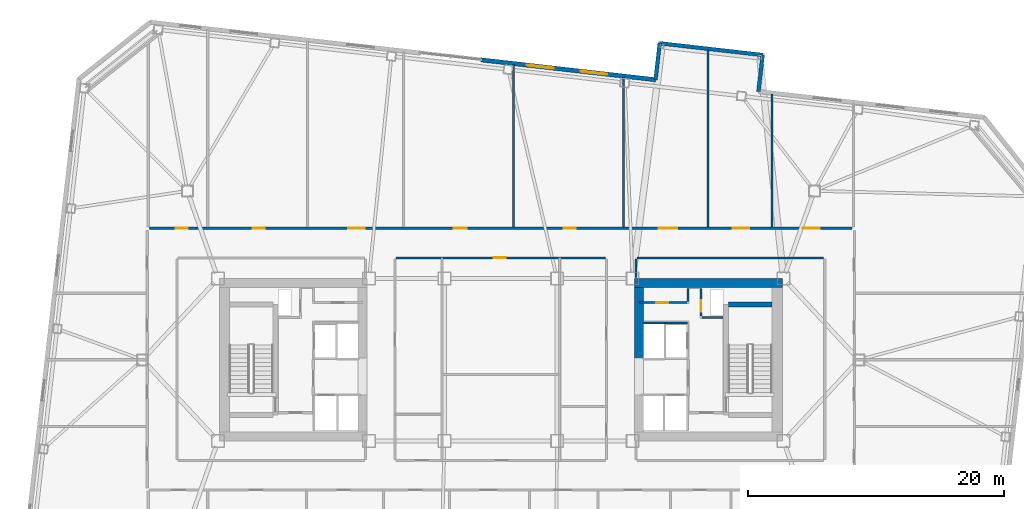
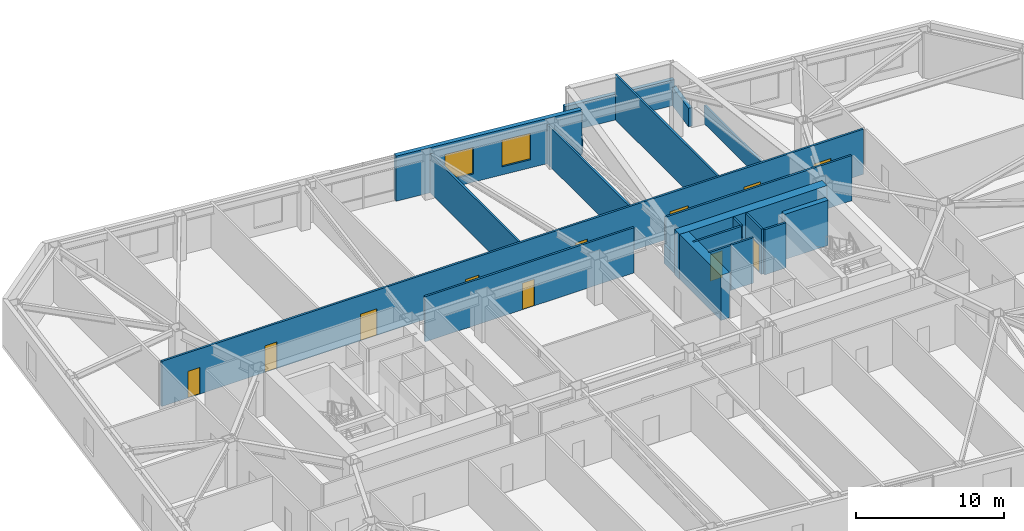
# One storey, part 15 of 22: 21 walls, 11 doors, 2 windows, 13 openings.
"""IFC4 building model written with IfcOpenShell, lengths in metres."""

from ifc_helpers import new_model, si_unit, direction, frame, frame_2d, origin, place, context, subcontext, project, spatial, rectangle, extrude, material, layer, layer_set, type_object, element, fill, save


model = new_model("IFC4")

# Units and contexts
model_context = context("Model", 3, precision=1e-05, world=origin(), true_north=direction((0.0, 1.0)))
body_context = subcontext(model_context, "Body", "Model", "MODEL_VIEW")
ifc_project = project(units=[si_unit("LENGTHUNIT", "METRE"), si_unit("AREAUNIT", "SQUARE_METRE"), si_unit("VOLUMEUNIT", "CUBIC_METRE"), si_unit("PLANEANGLEUNIT", "RADIAN"), si_unit("MASSUNIT", "GRAM", prefix="KILO")], contexts=[model_context])

# Site, building, storey
site_placement = place(None, origin())
site = spatial("IfcSite", under=ifc_project, at=site_placement, CompositionType="ELEMENT")
building_placement = place(site_placement, origin())
building = spatial("IfcBuilding", under=site, at=building_placement, Name="Tavrogorsk Clinical Tower", CompositionType="ELEMENT")
storey_placement = place(building_placement, frame((0.0, 0.0, 117.39990234375)))
storey = spatial("IfcBuildingStorey", under=building, at=storey_placement, Name="L26", CompositionType="ELEMENT", Elevation=117.39990234375)

# Wall, opening, door
ifc_material_1 = material(Name="Lightweight concrete blockwork B15", Category="masonry")
ifc_layer_1 = layer(ifc_material_1, 0.159912109375)
ifc_layer_set_1 = layer_set([ifc_layer_1], Name="Lightweight concrete blockwork B15")
wall_type_1 = type_object("IfcWallType", Name="PartitionWall_160", PredefinedType="PARTITIONING", material=ifc_layer_set_1)
wall_1_placement = place(storey_placement, frame((10.800048828125, 4.4599609375, 0.0), z_axis=(0.0, 0.0, 1.0), x_axis=(1.0, 0.0, 0.0)))
wall_1 = element("IfcWall", 1, at=wall_1_placement, inside=storey, type_object=wall_type_1, Name="L26 Core East Pneumatic Dispatch South Wall", PredefinedType="PARTITIONING", context=body_context, shape_type="SweptSolid", body=[
    extrude(rectangle(XDim=3.7548828125, YDim=0.159912109375, at=frame_2d((1.87744140625, 0.0))), origin(), (0.0, 0.0, 1.0), 3.739990234375),
])
opening_1_placement = place(wall_1_placement, frame((1.35009765625, 0.0, 0.0)))
opening_1 = element("IfcOpeningElement", 2, at=opening_1_placement, cuts=wall_1, Name="Opening ID-02", PredefinedType="OPENING", context=body_context, shape_type="SweptSolid", body=[
    extrude(rectangle(XDim=0.949951171875, YDim=2.199951171875, at=frame_2d((0.47509765625, 1.10009765625))), frame((0.0, 0.08984375, 0.0), z_axis=(0.0, -1.0, 0.0), x_axis=(1.0, 0.0, 0.0)), (0.0, 0.0, 1.0), 0.179931640625),
])
ifc_material_2 = material(Name="Laminated timber leaf on aluminium frame", Category="wood")
door_type_1 = type_object("IfcDoorType", Name="InteriorDoor_ID02_950", OperationType="NOTDEFINED", PredefinedType="DOOR", material=ifc_material_2)
door_1_placement = place(opening_1_placement, origin())
door_1 = element("IfcDoor", 3, at=door_1_placement, inside=storey, type_object=door_type_1, Name="L26 Core East Pneumatic Dispatch Door", OperationType="SINGLE_SWING_LEFT", OverallHeight=2.199951171875, OverallWidth=0.949951171875, PredefinedType="DOOR", context=body_context, shape_type="SweptSolid", body=[
    extrude(rectangle(XDim=0.949951171875, YDim=2.199951171875, at=frame_2d((0.47509765625, 1.10009765625))), frame((0.0, 0.02490234375, 0.0), z_axis=(0.0, -1.0, 0.0), x_axis=(1.0, 0.0, 0.0)), (0.0, 0.0, 1.0), 0.050048828125),
])
fill(opening_1, door_1)

# Wall
wall_2_placement = place(storey_placement, frame((14.639892578125, 4.544921875, 0.0), z_axis=(0.0, 0.0, 1.0), x_axis=(0.0, 1.0, 0.0)))
element("IfcWall", 4, at=wall_2_placement, inside=storey, type_object=wall_type_1, Name="L26 Core East Pneumatic Dispatch East Wall", PredefinedType="PARTITIONING", context=body_context, shape_type="SweptSolid", body=[
    extrude(rectangle(XDim=1.01513671875, YDim=0.159912109375, at=frame_2d((0.507568359375, 0.0))), origin(), (0.0, 0.0, 1.0), 3.739990234375),
])

# Wall, openings, doors
wall_3_placement = place(storey_placement, frame((-27.465087890625, 10.280029296875, 0.0), z_axis=(0.0, 0.0, 1.0), x_axis=(1.0, 0.0, 0.0)))
wall_3 = element("IfcWall", 5, at=wall_3_placement, inside=storey, type_object=wall_type_1, Name="L26 Corridor Partition 02", PredefinedType="PARTITIONING", context=body_context, shape_type="SweptSolid", body=[
    extrude(rectangle(XDim=54.93017578125, YDim=0.159912109375, at=frame_2d((27.465087890625, 0.0))), origin(), (0.0, 0.0, 1.0), 3.739990234375),
])
opening_2_placement = place(wall_3_placement, frame((2.044189453125, 0.0, 0.0)))
opening_2 = element("IfcOpeningElement", 6, at=opening_2_placement, cuts=wall_3, Name="Opening ID-02", PredefinedType="OPENING", context=body_context, shape_type="SweptSolid", body=[
    extrude(rectangle(XDim=0.949951171875, YDim=2.199951171875, at=frame_2d((0.47509765625, 1.10009765625))), frame((0.0, 0.08984375, 0.0), z_axis=(0.0, -1.0, 0.0), x_axis=(1.0, 0.0, 0.0)), (0.0, 0.0, 1.0), 0.179931640625),
])
opening_3_placement = place(wall_3_placement, frame((8.074951171875, 0.0, 0.0)))
opening_3 = element("IfcOpeningElement", 7, at=opening_3_placement, cuts=wall_3, Name="Opening ID-02", PredefinedType="OPENING", context=body_context, shape_type="SweptSolid", body=[
    extrude(rectangle(XDim=0.949951171875, YDim=2.199951171875, at=frame_2d((0.47509765625, 1.10009765625))), frame((0.0, 0.08984375, 0.0), z_axis=(0.0, -1.0, 0.0), x_axis=(1.0, 0.0, 0.0)), (0.0, 0.0, 1.0), 0.179931640625),
])
opening_4_placement = place(wall_3_placement, frame((15.550048828125, 0.0, 0.0)))
opening_4 = element("IfcOpeningElement", 8, at=opening_4_placement, cuts=wall_3, Name="Opening ID-01", PredefinedType="OPENING", context=body_context, shape_type="SweptSolid", body=[
    extrude(rectangle(XDim=1.300048828125, YDim=2.199951171875, at=frame_2d((0.64990234375, 1.10009765625))), frame((0.0, 0.08984375, 0.0), z_axis=(0.0, -1.0, 0.0), x_axis=(1.0, 0.0, 0.0)), (0.0, 0.0, 1.0), 0.179931640625),
])
opening_5_placement = place(wall_3_placement, frame((23.77490234375, 0.0, 0.0)))
opening_5 = element("IfcOpeningElement", 9, at=opening_5_placement, cuts=wall_3, Name="Opening ID-04", PredefinedType="OPENING", context=body_context, shape_type="SweptSolid", body=[
    extrude(rectangle(XDim=1.050048828125, YDim=2.199951171875, at=frame_2d((0.52490234375, 1.10009765625))), frame((0.0, 0.08984375, 0.0), z_axis=(0.0, -1.0, 0.0), x_axis=(1.0, 0.0, 0.0)), (0.0, 0.0, 1.0), 0.179931640625),
])
opening_6_placement = place(wall_3_placement, frame((32.375, 0.0, 0.0)))
opening_6 = element("IfcOpeningElement", 10, at=opening_6_placement, cuts=wall_3, Name="Opening ID-02", PredefinedType="OPENING", context=body_context, shape_type="SweptSolid", body=[
    extrude(rectangle(XDim=0.949951171875, YDim=2.199951171875, at=frame_2d((0.47509765625, 1.10009765625))), frame((0.0, 0.08984375, 0.0), z_axis=(0.0, -1.0, 0.0), x_axis=(1.0, 0.0, 0.0)), (0.0, 0.0, 1.0), 0.179931640625),
])
opening_7_placement = place(wall_3_placement, frame((39.794921875, 0.0, 0.0)))
opening_7 = element("IfcOpeningElement", 11, at=opening_7_placement, cuts=wall_3, Name="Opening ID-05", PredefinedType="OPENING", context=body_context, shape_type="SweptSolid", body=[
    extrude(rectangle(XDim=1.449951171875, YDim=2.199951171875, at=frame_2d((0.72509765625, 1.10009765625))), frame((0.0, 0.08984375, 0.0), z_axis=(0.0, -1.0, 0.0), x_axis=(1.0, 0.0, 0.0)), (0.0, 0.0, 1.0), 0.179931640625),
])
opening_8_placement = place(wall_3_placement, frame((45.58837890625, 0.0, 0.0)))
opening_8 = element("IfcOpeningElement", 12, at=opening_8_placement, cuts=wall_3, Name="Opening ID-01", PredefinedType="OPENING", context=body_context, shape_type="SweptSolid", body=[
    extrude(rectangle(XDim=1.300048828125, YDim=2.199951171875, at=frame_2d((0.64990234375, 1.10009765625))), frame((0.0, 0.08984375, 0.0), z_axis=(0.0, -1.0, 0.0), x_axis=(1.0, 0.0, 0.0)), (0.0, 0.0, 1.0), 0.179931640625),
])
opening_9_placement = place(wall_3_placement, frame((51.074462890625, 0.0, 0.0)))
opening_9 = element("IfcOpeningElement", 13, at=opening_9_placement, cuts=wall_3, Name="Opening ID-01", PredefinedType="OPENING", context=body_context, shape_type="SweptSolid", body=[
    extrude(rectangle(XDim=1.300048828125, YDim=2.199951171875, at=frame_2d((0.64990234375, 1.10009765625))), frame((0.0, 0.08984375, 0.0), z_axis=(0.0, -1.0, 0.0), x_axis=(1.0, 0.0, 0.0)), (0.0, 0.0, 1.0), 0.179931640625),
])
ifc_material_3 = material(Name="Antibacterial HPL consultation door on aluminium frame", Category="aluminium")
door_type_2 = type_object("IfcDoorType", Name="ConsultDoor_ID04_1050", OperationType="NOTDEFINED", PredefinedType="DOOR", material=ifc_material_3)
door_2_placement = place(opening_5_placement, origin())
door_2 = element("IfcDoor", 14, at=door_2_placement, inside=storey, type_object=door_type_2, Name="L26 North Physician Consultation Office 04 Door", OperationType="SINGLE_SWING_RIGHT", OverallHeight=2.199951171875, OverallWidth=1.050048828125, PredefinedType="DOOR", context=body_context, shape_type="SweptSolid", body=[
    extrude(rectangle(XDim=1.050048828125, YDim=2.199951171875, at=frame_2d((0.52490234375, 1.10009765625))), frame((0.0, 0.02490234375, 0.0), z_axis=(0.0, -1.0, 0.0), x_axis=(1.0, 0.0, 0.0)), (0.0, 0.0, 1.0), 0.050048828125),
])
fill(opening_5, door_2)
ifc_material_4 = material(Name="Antibacterial HPL bariatric ward double door")
door_type_3 = type_object("IfcDoorType", Name="DoubleWardDoor_ID05_1450", OperationType="DOUBLE_SWING_LEFT", PredefinedType="DOOR", material=ifc_material_4)
door_3_placement = place(opening_7_placement, origin())
door_3 = element("IfcDoor", 15, at=door_3_placement, inside=storey, type_object=door_type_3, Name="L26 North Acute Isolation Suite 06A Door", OperationType="DOUBLE_SWING_LEFT", OverallHeight=2.199951171875, OverallWidth=1.449951171875, PredefinedType="DOOR", context=body_context, shape_type="SweptSolid", body=[
    extrude(rectangle(XDim=1.449951171875, YDim=2.199951171875, at=frame_2d((0.72509765625, 1.10009765625))), frame((0.0, 0.02490234375, 0.0), z_axis=(0.0, -1.0, 0.0), x_axis=(1.0, 0.0, 0.0)), (0.0, 0.0, 1.0), 0.050048828125),
])
fill(opening_7, door_3)
door_4_placement = place(opening_2_placement, origin())
door_4 = element("IfcDoor", 16, at=door_4_placement, inside=storey, type_object=door_type_1, Name="L26 North Diagnostic Ultrasound Suite 01 Door", OperationType="SINGLE_SWING_LEFT", OverallHeight=2.199951171875, OverallWidth=0.949951171875, PredefinedType="DOOR", context=body_context, shape_type="SweptSolid", body=[
    extrude(rectangle(XDim=0.949951171875, YDim=2.199951171875, at=frame_2d((0.47509765625, 1.10009765625))), frame((0.0, 0.02490234375, 0.0), z_axis=(0.0, -1.0, 0.0), x_axis=(1.0, 0.0, 0.0)), (0.0, 0.0, 1.0), 0.050048828125),
])
fill(opening_2, door_4)
door_5_placement = place(opening_3_placement, origin())
door_5 = element("IfcDoor", 17, at=door_5_placement, inside=storey, type_object=door_type_1, Name="L26 North Physiotherapy Rehab Studio 02 Door", OperationType="SINGLE_SWING_RIGHT", OverallHeight=2.199951171875, OverallWidth=0.949951171875, PredefinedType="DOOR", context=body_context, shape_type="SweptSolid", body=[
    extrude(rectangle(XDim=0.949951171875, YDim=2.199951171875, at=frame_2d((0.47509765625, 1.10009765625))), frame((0.0, 0.02490234375, 0.0), z_axis=(0.0, -1.0, 0.0), x_axis=(1.0, 0.0, 0.0)), (0.0, 0.0, 1.0), 0.050048828125),
])
fill(opening_3, door_5)
door_6_placement = place(opening_6_placement, origin())
door_6 = element("IfcDoor", 18, at=door_6_placement, inside=storey, type_object=door_type_1, Name="L26 North Patient & Family Quiet Lounge 05 Door", OperationType="SINGLE_SWING_LEFT", OverallHeight=2.199951171875, OverallWidth=0.949951171875, PredefinedType="DOOR", context=body_context, shape_type="SweptSolid", body=[
    extrude(rectangle(XDim=0.949951171875, YDim=2.199951171875, at=frame_2d((0.47509765625, 1.10009765625))), frame((0.0, 0.02490234375, 0.0), z_axis=(0.0, -1.0, 0.0), x_axis=(1.0, 0.0, 0.0)), (0.0, 0.0, 1.0), 0.050048828125),
])
fill(opening_6, door_6)
ifc_material_5 = material(Name="Antibacterial HPL medical leaf on aluminium frame", Category="aluminium")
door_type_4 = type_object("IfcDoorType", Name="WardBedDoor_ID01_1300", OperationType="NOTDEFINED", PredefinedType="DOOR", material=ifc_material_5)
door_7_placement = place(opening_4_placement, origin())
door_7 = element("IfcDoor", 19, at=door_7_placement, inside=storey, type_object=door_type_4, Name="L26 North Step-Down Telemetry Ward 03 Door", OperationType="SINGLE_SWING_LEFT", OverallHeight=2.199951171875, OverallWidth=1.300048828125, PredefinedType="DOOR", context=body_context, shape_type="SweptSolid", body=[
    extrude(rectangle(XDim=1.300048828125, YDim=2.199951171875, at=frame_2d((0.64990234375, 1.10009765625))), frame((0.0, 0.02490234375, 0.0), z_axis=(0.0, -1.0, 0.0), x_axis=(1.0, 0.0, 0.0)), (0.0, 0.0, 1.0), 0.050048828125),
])
fill(opening_4, door_7)
door_8_placement = place(opening_8_placement, origin())
door_8 = element("IfcDoor", 20, at=door_8_placement, inside=storey, type_object=door_type_4, Name="L26 North Step-Down Telemetry Ward 06B Door", OperationType="SINGLE_SWING_LEFT", OverallHeight=2.199951171875, OverallWidth=1.300048828125, PredefinedType="DOOR", context=body_context, shape_type="SweptSolid", body=[
    extrude(rectangle(XDim=1.300048828125, YDim=2.199951171875, at=frame_2d((0.64990234375, 1.10009765625))), frame((0.0, 0.02490234375, 0.0), z_axis=(0.0, -1.0, 0.0), x_axis=(1.0, 0.0, 0.0)), (0.0, 0.0, 1.0), 0.050048828125),
])
fill(opening_8, door_8)
door_9_placement = place(opening_9_placement, origin())
door_9 = element("IfcDoor", 21, at=door_9_placement, inside=storey, type_object=door_type_4, Name="L26 North Sub-Acute Recovery Ward 07 Door", OperationType="SINGLE_SWING_RIGHT", OverallHeight=2.199951171875, OverallWidth=1.300048828125, PredefinedType="DOOR", context=body_context, shape_type="SweptSolid", body=[
    extrude(rectangle(XDim=1.300048828125, YDim=2.199951171875, at=frame_2d((0.64990234375, 1.10009765625))), frame((0.0, 0.02490234375, 0.0), z_axis=(0.0, -1.0, 0.0), x_axis=(1.0, 0.0, 0.0)), (0.0, 0.0, 1.0), 0.050048828125),
])
fill(opening_9, door_9)

# Walls
wall_4_placement = place(storey_placement, frame((25.235107421875, 7.969970703125, 0.0), z_axis=(0.0, 0.0, 1.0), x_axis=(-1.0, 0.0, 0.0)))
element("IfcWall", 22, at=wall_4_placement, inside=storey, type_object=wall_type_1, Name="L26 Corridor Partition 05", PredefinedType="PARTITIONING", context=body_context, shape_type="SweptSolid", body=[
    extrude(rectangle(XDim=14.570068359375, YDim=0.159912109375, at=frame_2d((7.28515625, 0.0))), origin(), (0.0, 0.0, 1.0), 3.739990234375),
])
wall_5_placement = place(storey_placement, frame((10.580078125, 7.885009765625, 0.0), z_axis=(0.0, 0.0, 1.0), x_axis=(0.0, -1.0, 0.0)))
element("IfcWall", 23, at=wall_5_placement, inside=storey, type_object=wall_type_1, Name="L26 Corridor Partition 06", PredefinedType="PARTITIONING", context=body_context, shape_type="SweptSolid", body=[
    extrude(rectangle(XDim=1.465087890625, YDim=0.159912109375, at=frame_2d((0.732421875, 0.0))), origin(), (0.0, 0.0, 1.0), 1.53515625),
])

# Wall, opening, door
wall_6_placement = place(storey_placement, frame((8.18505859375, 7.969970703125, 0.0), z_axis=(0.0, 0.0, 1.0), x_axis=(-1.0, 0.0, 0.0)))
wall_6 = element("IfcWall", 24, at=wall_6_placement, inside=storey, type_object=wall_type_1, Name="L26 Corridor Partition 11", PredefinedType="PARTITIONING", context=body_context, shape_type="SweptSolid", body=[
    extrude(rectangle(XDim=16.3701171875, YDim=0.159912109375, at=frame_2d((8.18505859375, 0.0))), origin(), (0.0, 0.0, 1.0), 3.739990234375),
])
opening_10_placement = place(wall_6_placement, frame((7.794921875, 0.0, 0.0)))
opening_10 = element("IfcOpeningElement", 25, at=opening_10_placement, cuts=wall_6, Name="Opening ID-02", PredefinedType="OPENING", context=body_context, shape_type="SweptSolid", body=[
    extrude(rectangle(XDim=0.949951171875, YDim=2.199951171875, at=frame_2d((0.47509765625, 1.10009765625))), frame((0.0, 0.08984375, 0.0), z_axis=(0.0, -1.0, 0.0), x_axis=(1.0, 0.0, 0.0)), (0.0, 0.0, 1.0), 0.179931640625),
])
door_10_placement = place(opening_10_placement, origin())
door_10 = element("IfcDoor", 26, at=door_10_placement, inside=storey, type_object=door_type_1, Name="L26 Nurses' Station & Triage Hub Door", OperationType="SINGLE_SWING_RIGHT", OverallHeight=2.199951171875, OverallWidth=0.949951171875, PredefinedType="DOOR", context=body_context, shape_type="SweptSolid", body=[
    extrude(rectangle(XDim=0.949951171875, YDim=2.199951171875, at=frame_2d((0.47509765625, 1.10009765625))), frame((0.0, 0.02490234375, 0.0), z_axis=(0.0, -1.0, 0.0), x_axis=(1.0, 0.0, 0.0)), (0.0, 0.0, 1.0), 0.050048828125),
])
fill(opening_10, door_10)

# Walls
wall_7_placement = place(storey_placement, frame((1.0, 10.364990234375, 0.0), z_axis=(0.0, 0.0, 1.0), x_axis=(0.0, 1.0, 0.0)))
element("IfcWall", 27, at=wall_7_placement, inside=storey, type_object=wall_type_1, Name="L26 North Room Partition 4", PredefinedType="PARTITIONING", context=body_context, shape_type="SweptSolid", body=[
    extrude(rectangle(XDim=12.71337890625, YDim=0.159912109375, at=frame_2d((6.356689453125, 0.0))), origin(), (0.0, 0.0, 1.0), 3.235107421875),
])
wall_8_placement = place(storey_placement, frame((9.60009765625, 10.364990234375, 0.0), z_axis=(0.0, 0.0, 1.0), x_axis=(0.0, 1.0, 0.0)))
element("IfcWall", 28, at=wall_8_placement, inside=storey, type_object=wall_type_1, Name="L26 North Room Partition 5", PredefinedType="PARTITIONING", context=body_context, shape_type="SweptSolid", body=[
    extrude(rectangle(XDim=11.733642578125, YDim=0.159912109375, at=frame_2d((5.86669921875, 0.0))), origin(), (0.0, 0.0, 1.0), 3.235107421875),
])
wall_9_placement = place(storey_placement, frame((21.18701171875, 10.364990234375, 0.0), z_axis=(0.0, 0.0, 1.0), x_axis=(0.0, 1.0, 0.0)))
element("IfcWall", 29, at=wall_9_placement, inside=storey, type_object=wall_type_1, Name="L26 North Room Partition 6", PredefinedType="PARTITIONING", context=body_context, shape_type="SweptSolid", body=[
    extrude(rectangle(XDim=10.413330078125, YDim=0.159912109375, at=frame_2d((5.20654296875, 0.0))), origin(), (0.0, 0.0, 1.0), 1.53515625),
])
wall_10_placement = place(storey_placement, frame((16.18994140625, 10.364990234375, 0.0), z_axis=(0.0, 0.0, 1.0), x_axis=(0.0, 1.0, 0.0)))
element("IfcWall", 30, at=wall_10_placement, inside=storey, type_object=wall_type_1, Name="L26 North Sub-Partition 6", PredefinedType="PARTITIONING", context=body_context, shape_type="SweptSolid", body=[
    extrude(rectangle(XDim=13.851318359375, YDim=0.159912109375, at=frame_2d((6.92578125, 0.0))), origin(), (0.0, 0.0, 1.0), 3.739990234375),
])

# Wall, openings, windows
ifc_material_6 = material(Name="Precast concrete B45 with limestone cladding", Category="masonry")
ifc_layer_2 = layer(ifc_material_6, 0.340087890625)
ifc_layer_set_2 = layer_set([ifc_layer_2], Name="Precast concrete B45 with limestone cladding")
wall_type_2 = type_object("IfcWallType", Name="PrecastLimestoneWall_340", PredefinedType="STANDARD", material=ifc_layer_set_2)
wall_11_placement = place(storey_placement, frame((12.093505859375, 21.885009765625, 0.0), z_axis=(0.0, 0.0, 1.0), x_axis=(-0.993571881197, 0.113202989776, 0.0)))
wall_11 = element("IfcWall", 31, at=wall_11_placement, inside=storey, type_object=wall_type_2, Name="L26 N Limestone Facade Wall 2", PredefinedType="STANDARD", context=body_context, shape_type="SweptSolid", body=[
    extrude(rectangle(XDim=13.72705078125, YDim=0.340087890625, at=frame_2d((6.863525390625, 0.0))), origin(), (0.0, 0.0, 1.0), 3.739990234375),
])
opening_11_placement = place(wall_11_placement, frame((8.0107421875, 0.0, 0.669921875)))
opening_11 = element("IfcOpeningElement", 32, at=opening_11_placement, cuts=wall_11, Name="Opening WN-03", PredefinedType="OPENING", context=body_context, shape_type="SweptSolid", body=[
    extrude(rectangle(XDim=2.10009765625, YDim=2.199951171875, at=frame_2d((1.050048828125, 1.10009765625))), frame((0.0, 0.179931640625, 0.0), z_axis=(0.0, -1.0, 0.0), x_axis=(1.0, 0.0, 0.0)), (0.0, 0.0, 1.0), 0.360107421875),
])
opening_12_placement = place(wall_11_placement, frame((3.789306640625, 0.0, 0.669921875)))
opening_12 = element("IfcOpeningElement", 33, at=opening_12_placement, cuts=wall_11, Name="Opening WN-03", PredefinedType="OPENING", context=body_context, shape_type="SweptSolid", body=[
    extrude(rectangle(XDim=2.10009765625, YDim=2.199951171875, at=frame_2d((1.050048828125, 1.10009765625))), frame((0.0, 0.179931640625, 0.0), z_axis=(0.0, -1.0, 0.0), x_axis=(1.0, 0.0, 0.0)), (0.0, 0.0, 1.0), 0.360107421875),
])
ifc_material_7 = material(Name="Thermally broken aluminium frame and triple IGU", Category="aluminium")
window_type = type_object("IfcWindowType", Name="PatientTwinWin_2100x2200", PartitioningType="DOUBLE_PANEL_VERTICAL", PredefinedType="WINDOW", material=ifc_material_7)
window_1_placement = place(opening_11_placement, origin())
window_1 = element("IfcWindow", 34, at=window_1_placement, inside=storey, type_object=window_type, Name="L26 N Chicago Window 05", OverallHeight=2.199951171875, OverallWidth=2.10009765625, PartitioningType="SINGLE_PANEL", PredefinedType="WINDOW", context=body_context, shape_type="SweptSolid", body=[
    extrude(rectangle(XDim=2.10009765625, YDim=2.199951171875, at=frame_2d((1.050048828125, 1.10009765625))), frame((0.0, 0.030029296875, 0.0), z_axis=(0.0, -1.0, 0.0), x_axis=(1.0, 0.0, 0.0)), (0.0, 0.0, 1.0), 0.06005859375),
])
fill(opening_11, window_1)
window_2_placement = place(opening_12_placement, origin())
window_2 = element("IfcWindow", 35, at=window_2_placement, inside=storey, type_object=window_type, Name="L26 N Chicago Window 06", OverallHeight=2.199951171875, OverallWidth=2.10009765625, PartitioningType="SINGLE_PANEL", PredefinedType="WINDOW", context=body_context, shape_type="SweptSolid", body=[
    extrude(rectangle(XDim=2.10009765625, YDim=2.199951171875, at=frame_2d((1.050048828125, 1.10009765625))), frame((0.0, 0.030029296875, 0.0), z_axis=(0.0, -1.0, 0.0), x_axis=(1.0, 0.0, 0.0)), (0.0, 0.0, 1.0), 0.06005859375),
])
fill(opening_12, window_2)

# Walls
wall_12_placement = place(storey_placement, frame((12.41845703125, 24.736572265625, 0.0), z_axis=(0.0, 0.0, 1.0), x_axis=(0.993571087422, -0.113209956448, 0.0)))
element("IfcWall", 36, at=wall_12_placement, inside=storey, type_object=wall_type_2, Name="L26 Day-Room Limestone Front DRB-04", PredefinedType="STANDARD", context=body_context, shape_type="SweptSolid", body=[
    extrude(rectangle(XDim=8.099853515625, YDim=0.300048828125, at=frame_2d((4.0498046875, 0.0))), origin(), (0.0, 0.0, 1.0), 2.135009765625),
])
ifc_material_8 = material(Name="Lightweight concrete blockwork B25", Category="masonry")
ifc_layer_3 = layer(ifc_material_8, 0.159912109375)
ifc_layer_set_3 = layer_set([ifc_layer_3], Name="Lightweight concrete blockwork B25")
wall_type_3 = type_object("IfcWallType", Name="ShaftWall_160", PredefinedType="PARTITIONING", material=ifc_layer_set_3)
wall_13_placement = place(storey_placement, frame((12.840087890625, 2.8798828125, 0.0), z_axis=(0.0, 0.0, 1.0), x_axis=(1.0, 0.0, 0.0)))
element("IfcWall", 37, at=wall_13_placement, inside=storey, type_object=wall_type_3, Name="L26 FFL-E Shaft North Wall", PredefinedType="PARTITIONING", context=body_context, shape_type="SweptSolid", body=[
    extrude(rectangle(XDim=1.760009765625, YDim=0.159912109375, at=frame_2d((0.8798828125, 0.0))), origin(), (0.0, 0.0, 1.0), 3.739990234375),
])
wall_14_placement = place(storey_placement, frame((11.10009765625, 2.860107421875, 0.0), z_axis=(0.0, 0.0, 1.0), x_axis=(1.0, 0.0, 0.0)))
element("IfcWall", 38, at=wall_14_placement, inside=storey, type_object=wall_type_3, Name="L26 LP-H2 High-Zone Lift Rear Wall", PredefinedType="PARTITIONING", context=body_context, shape_type="SweptSolid", body=[
    extrude(rectangle(XDim=1.719970703125, YDim=0.159912109375, at=frame_2d((0.85986328125, 0.0))), origin(), (0.0, 0.0, 1.0), 3.739990234375),
])

# Wall, opening, door
wall_15_placement = place(storey_placement, frame((15.639892578125, 3.405029296875, 0.0), z_axis=(0.0, 0.0, 1.0), x_axis=(0.0, 1.0, 0.0)))
wall_15 = element("IfcWall", 39, at=wall_15_placement, inside=storey, type_object=wall_type_3, Name="L26 Core East Riser West Wall", PredefinedType="PARTITIONING", context=body_context, shape_type="SweptSolid", body=[
    extrude(rectangle(XDim=2.155029296875, YDim=0.159912109375, at=frame_2d((1.07763671875, 0.0))), origin(), (0.0, 0.0, 1.0), 3.739990234375),
])
opening_13_placement = place(wall_15_placement, frame((0.35009765625, 0.0, 0.0)))
opening_13 = element("IfcOpeningElement", 40, at=opening_13_placement, cuts=wall_15, Name="Opening FD-02", PredefinedType="OPENING", context=body_context, shape_type="SweptSolid", body=[
    extrude(rectangle(XDim=0.89990234375, YDim=2.199951171875, at=frame_2d((0.449951171875, 1.10009765625))), frame((0.0, 0.08984375, 0.0), z_axis=(0.0, -1.0, 0.0), x_axis=(1.0, 0.0, 0.0)), (0.0, 0.0, 1.0), 0.179931640625),
])
ifc_material_9 = material(Name="Galvanised steel fire-rated door assembly", Category="steel")
door_type_5 = type_object("IfcDoorType", Name="FireDoor_FD02_900", OperationType="NOTDEFINED", PredefinedType="DOOR", material=ifc_material_9)
door_11_placement = place(opening_13_placement, origin())
door_11 = element("IfcDoor", 41, at=door_11_placement, inside=storey, type_object=door_type_5, Name="L26 Core East Electrical Riser Access Door", OperationType="SINGLE_SWING_LEFT", OverallHeight=2.199951171875, OverallWidth=0.89990234375, PredefinedType="DOOR", context=body_context, shape_type="SweptSolid", body=[
    extrude(rectangle(XDim=0.89990234375, YDim=2.199951171875, at=frame_2d((0.449951171875, 1.10009765625))), frame((0.0, 0.02490234375, 0.0), z_axis=(0.0, -1.0, 0.0), x_axis=(1.0, 0.0, 0.0)), (0.0, 0.0, 1.0), 0.050048828125),
])
fill(opening_13, door_11)

# Walls
wall_16_placement = place(storey_placement, frame((15.72509765625, 3.320068359375, 0.0), z_axis=(0.0, 0.0, 1.0), x_axis=(1.0, 0.0, 0.0)))
element("IfcWall", 42, at=wall_16_placement, inside=storey, type_object=wall_type_3, Name="L26 Core East Riser South Wall", PredefinedType="PARTITIONING", context=body_context, shape_type="SweptSolid", body=[
    extrude(rectangle(XDim=1.65478515625, YDim=0.159912109375, at=frame_2d((0.827392578125, 0.0))), origin(), (0.0, 0.0, 1.0), 3.739990234375),
])
ifc_material_10 = material(Name="Concrete B80", Category="concrete")
ifc_layer_4 = layer(ifc_material_10, 0.39990234375)
ifc_layer_set_4 = layer_set([ifc_layer_4], Name="Concrete B80")
wall_type_4 = type_object("IfcWallType", Name="ShearWall_400", PredefinedType="SHEAR", material=ifc_layer_set_4)
wall_17_placement = place(storey_placement, frame((17.800048828125, 4.324951171875, 0.0), z_axis=(0.0, 0.0, 1.0), x_axis=(1.0, 0.0, 0.0)))
element("IfcWall", 43, at=wall_17_placement, inside=storey, type_object=wall_type_4, Name="L26 Core East Stair Shaft North Shear Wall", PredefinedType="SHEAR", context=body_context, shape_type="SweptSolid", body=[
    extrude(rectangle(XDim=3.39990234375, YDim=0.39990234375, at=frame_2d((1.699951171875, 0.0))), origin(), (0.0, 0.0, 1.0), 3.739990234375),
])
ifc_material_11 = material(Name="Concrete B80", Category="concrete")
ifc_layer_5 = layer(ifc_material_11, 0.699951171875)
ifc_layer_set_5 = layer_set([ifc_layer_5], Name="Concrete B80")
wall_type_5 = type_object("IfcWallType", Name="ShearWall_700", PredefinedType="SHEAR", material=ifc_layer_set_5)
wall_18_placement = place(storey_placement, frame((10.449951171875, 6.0, 0.0), z_axis=(0.0, 0.0, 1.0), x_axis=(1.0, 0.0, 0.0)))
element("IfcWall", 44, at=wall_18_placement, inside=storey, type_object=wall_type_5, Name="L26 Core East North Shear Wall", PredefinedType="SHEAR", context=body_context, shape_type="SweptSolid", body=[
    extrude(rectangle(XDim=11.550048828125, YDim=0.699951171875, at=frame_2d((5.77490234375, 0.0))), origin(), (0.0, 0.0, 1.0), 3.739990234375),
])
wall_19_placement = place(storey_placement, frame((10.800048828125, 0.050048828125, 0.0), z_axis=(0.0, 0.0, 1.0), x_axis=(0.0, 1.0, 0.0)))
element("IfcWall", 45, at=wall_19_placement, inside=storey, type_object=wall_type_5, Name="L26 Core East Inner North Pier", PredefinedType="SHEAR", context=body_context, shape_type="SweptSolid", body=[
    extrude(rectangle(XDim=5.599853515625, YDim=0.699951171875, at=frame_2d((2.7998046875, 0.0))), origin(), (0.0, 0.0, 1.0), 3.739990234375),
])
ifc_material_12 = material(Name="Precast concrete B45 with mineral wool", Category="concrete")
ifc_layer_6 = layer(ifc_material_12, 0.300048828125)
ifc_layer_set_6 = layer_set([ifc_layer_6], Name="Precast concrete B45 with mineral wool")
wall_type_6 = type_object("IfcWallType", Name="SpandrelBackWall_300", PredefinedType="STANDARD", material=ifc_layer_set_6)
for number, where, z_axis, x_axis, name in (
    (46, (12.093505859375, 21.885009765625, 0.0), (0.0, 0.0, 1.0), (0.113222704107, 0.993569634839, 0.0), "L26 Day-Room Cheek Wall DRB-04-L"),
    (47, (20.141357421875, 20.968017578125, 0.0), (0.0, 0.0, 1.0), (0.113222704107, 0.993569634839, 0.0), "L26 Day-Room Cheek Wall DRB-04-R"),
):
    element("IfcWall", number, at=place(storey_placement, frame(where, z_axis=z_axis, x_axis=x_axis)), inside=storey, type_object=wall_type_6, Name=name, PredefinedType="STANDARD", context=body_context, shape_type="SweptSolid", body=[
        extrude(rectangle(XDim=2.8701171875, YDim=0.300048828125, at=frame_2d((1.43505859375, 0.0))), origin(), (0.0, 0.0, 1.0), 1.53515625),
    ])

save(model, "model.ifc")
